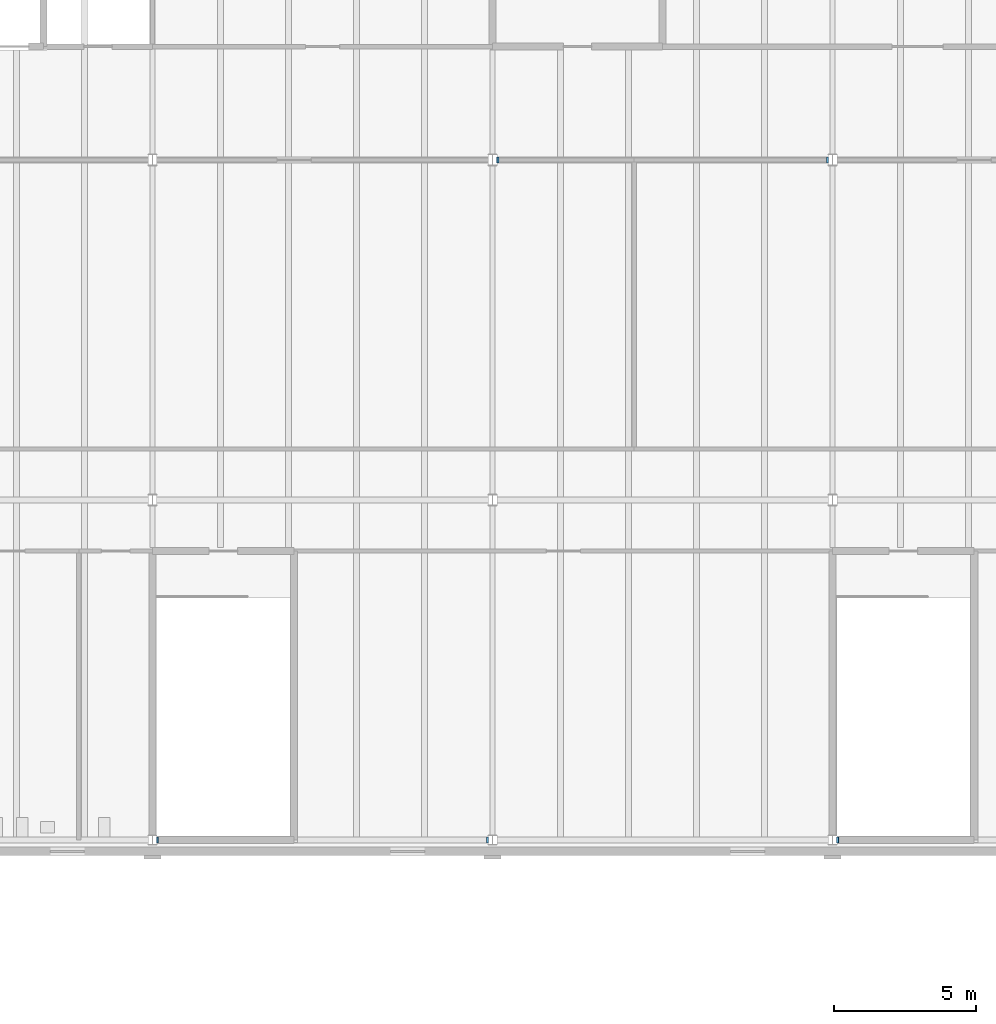
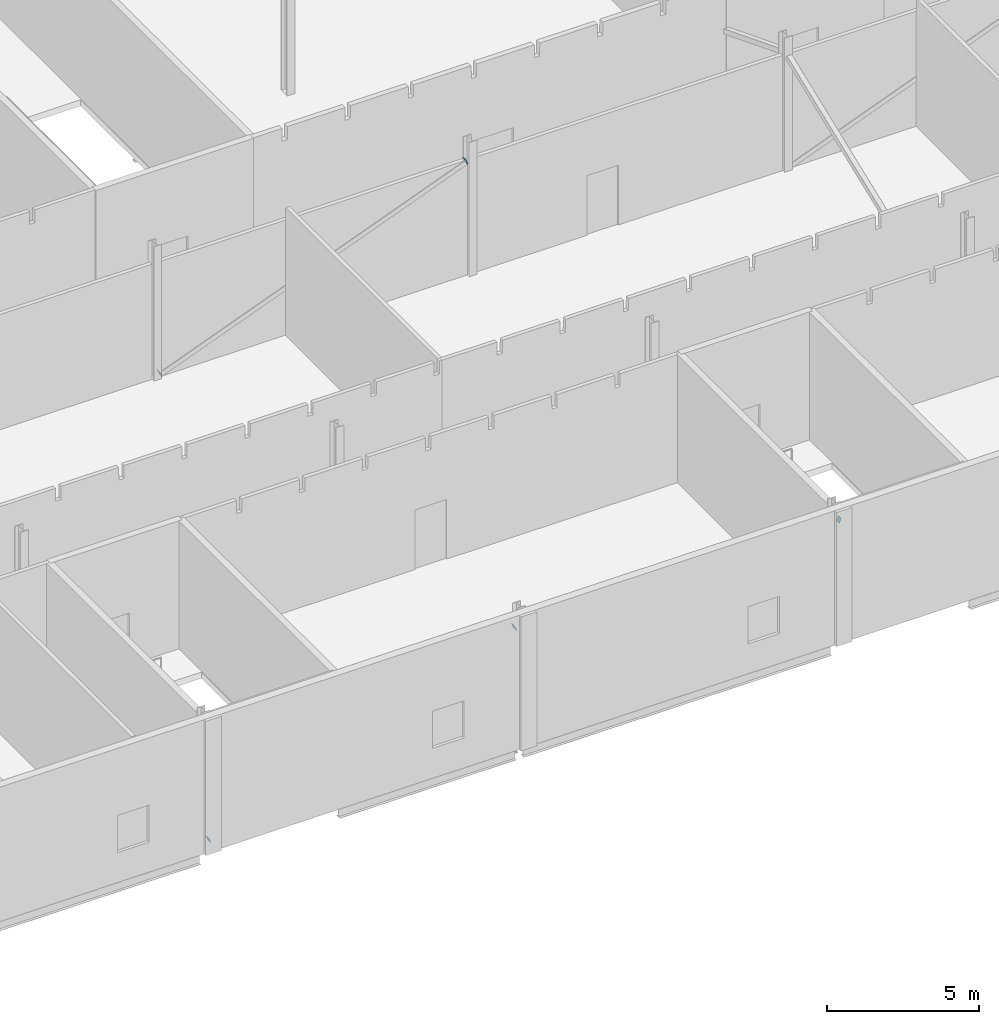
# One storey, part 284 of 321: 5 discrete accessories.
"""IFC4 building model written with IfcOpenShell, lengths in metres."""

from ifc_helpers import new_model, si_unit, direction, frame, origin, origin_2d, place, context, subcontext, project, spatial, rectangle, extrude, material, material_profile, profile_set, type_object, element, save


model = new_model("IFC4")

# Units and contexts
model_context = context("Model", 3, precision=1e-05, world=origin(), true_north=direction((0.0, 1.0)))
body_context = subcontext(model_context, "Body", "Model", "MODEL_VIEW")
ifc_project = project(units=[si_unit("LENGTHUNIT", "METRE"), si_unit("AREAUNIT", "SQUARE_METRE"), si_unit("VOLUMEUNIT", "CUBIC_METRE"), si_unit("PLANEANGLEUNIT", "RADIAN"), si_unit("MASSUNIT", "GRAM", prefix="KILO")], contexts=[model_context])

# Site, building, storey
site_placement = place(None, origin())
site = spatial("IfcSite", under=ifc_project, at=site_placement, CompositionType="ELEMENT")
building_placement = place(site_placement, origin())
building = spatial("IfcBuilding", under=site, at=building_placement, Name="Ravi Spectrum Wholesale Market", CompositionType="ELEMENT")
storey_placement = place(building_placement, frame((0.0, 0.0, 10.800048828125)))
storey = spatial("IfcBuildingStorey", under=building, at=storey_placement, Name="L02", CompositionType="ELEMENT", Elevation=10.800048828125)

# Discrete accessories
ifc_material = material(Name="Steel S355", Category="steel")
ifc_material_profile = material_profile(ifc_material, rectangle(XDim=0.199951171875, YDim=0.199951171875, at=origin_2d()))
ifc_profile_set = profile_set([ifc_material_profile], Name="Steel S355")
discrete_accessory_type = type_object("IfcDiscreteAccessoryType", Name="End plate SHS 200x200x8", PredefinedType="BRACKET", material=ifc_profile_set)
for number, where, z_axis, x_axis, name in (
    (1, (210.185791015625, 18.0, 0.09326171875), (-0.937994498829, 0.0, -0.346650140872), (0.0, -1.0, 0.0), "End plate"),
    (2, (221.814208984375, 18.0, 4.556640625), (0.937994498829, 0.0, 0.346650140872), (0.0, 1.0, 0.0), "End plate"),
    (3, (234.185791015625, 18.0, 4.556640625), (-0.937994498829, 0.0, 0.346650140872), (0.0, -1.0, 0.0), "End plate"),
    (4, (222.185791015625, 42.0, 0.09326171875), (-0.937994498829, 0.0, -0.346650140872), (0.0, -1.0, 0.0), "End plate"),
    (5, (233.814208984375, 42.0, 4.556640625), (0.937994498829, 0.0, 0.346650140872), (0.0, 1.0, 0.0), "End plate"),
):
    element("IfcDiscreteAccessory", number, at=place(storey_placement, frame(where, z_axis=z_axis, x_axis=x_axis)), inside=storey, type_object=discrete_accessory_type, Name=name, PredefinedType="BRACKET", context=body_context, shape_type="SweptSolid", body=[
        extrude(rectangle(XDim=0.199951171875, YDim=0.199951171875, at=origin_2d()), origin(), (0.0, 0.0, 1.0), 0.011962890625),
    ])

save(model, "model.ifc")
